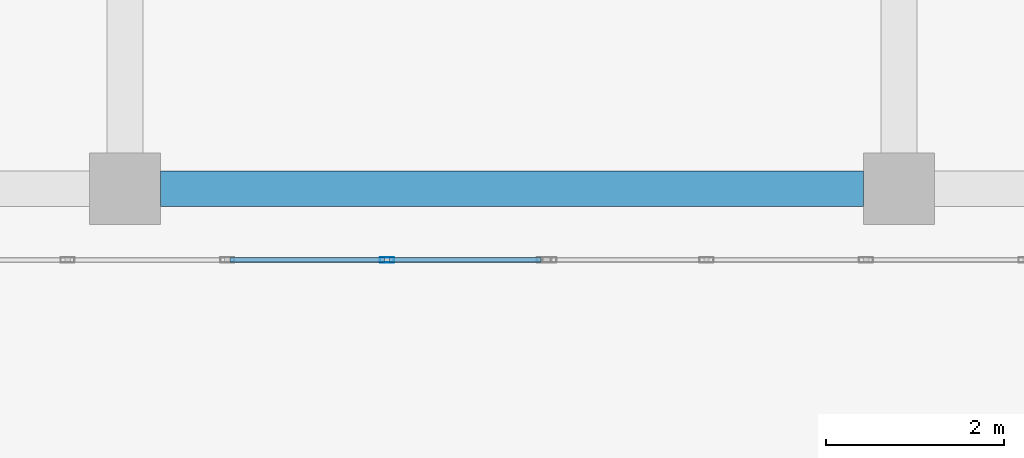
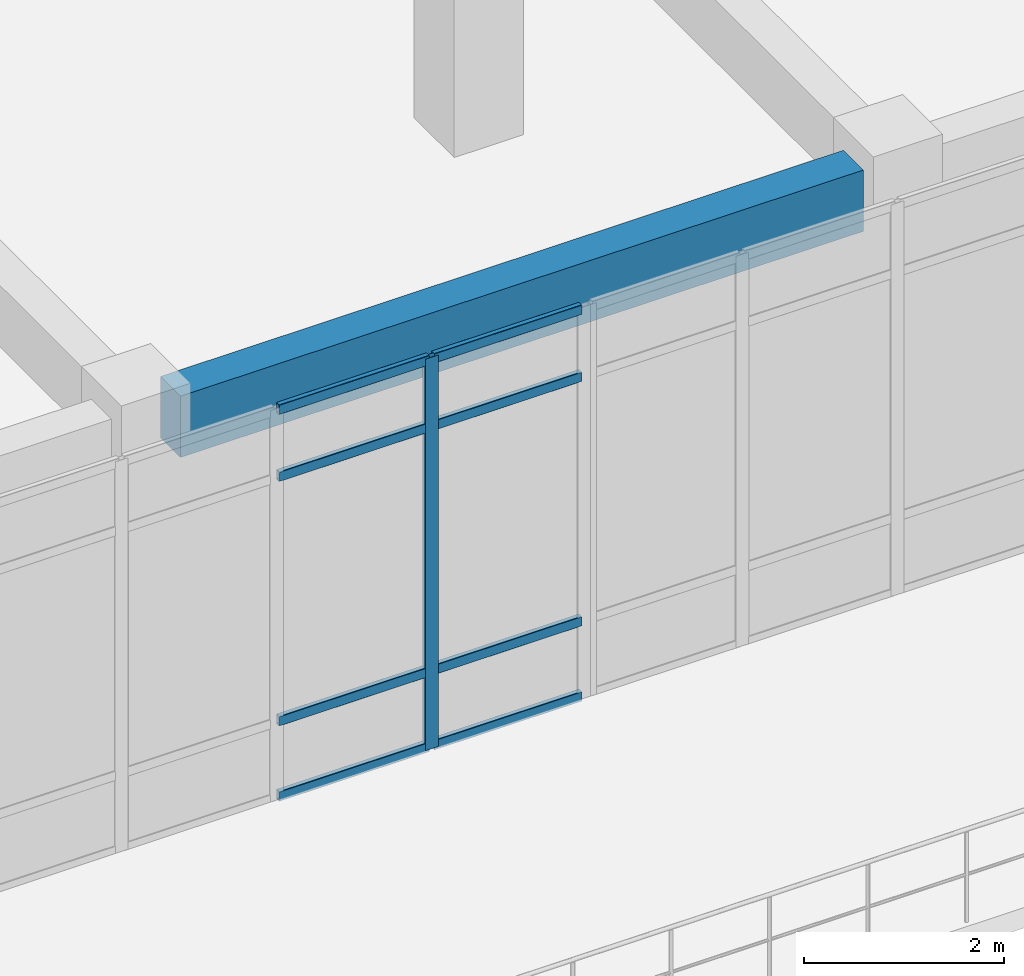
# One storey, part 14 of 96: 9 members, 1 beam, 1 element without a shape of its own.
"""IFC4 building model written with IfcOpenShell, lengths in metres."""

import ifcopenshell
import ifcopenshell.guid

model = None  # the IFC model being written
_history = None  # IfcOwnerHistory: only IFC2X3 demands one
_inside = {}  # id of a spatial element -> (the spatial element, [elements in it])
_under = {}  # id of a project, library or spatial element -> (it, [spatial elements below it])
_declared = {}  # id of a project -> (the project, [libraries it declares])
_typed = {}  # id of a type object -> (the type object, [elements of that type])
_made_of = {}  # id of a material, layer set ... -> (it, [elements and type objects made of it])


def new_model(schema):
    """Start an empty IFC model of exactly this schema.

    Asked for "IFC4X3", IfcOpenShell would pick the latest addendum, in which some entities
    have other attributes; the version numbers below select the first issue.
    IFC2X3 requires an IfcOwnerHistory on every rooted entity: one is made here for all.
    """
    global model, _history
    if schema == "IFC4X3":
        model = ifcopenshell.file(schema_version=(4, 3, 0, 0))
    else:
        model = ifcopenshell.file(schema=schema)
    _inside.clear()
    _under.clear()
    _declared.clear()
    _typed.clear()
    _made_of.clear()
    _history = None
    if model.schema == "IFC2X3":
        org = make("IfcOrganization", Name="unknown")
        user = make(
            "IfcPersonAndOrganization",
            ThePerson=make("IfcPerson", FamilyName="unknown"),
            TheOrganization=org,
        )
        app = make(
            "IfcApplication",
            ApplicationDeveloper=org,
            Version="unknown",
            ApplicationFullName="unknown",
            ApplicationIdentifier="unknown",
        )
        _history = make(
            "IfcOwnerHistory",
            OwningUser=user,
            OwningApplication=app,
            ChangeAction="ADDED",
            CreationDate=0,
        )
    return model


def make(cls, **values):
    """One entity of the class cls with the attributes given. An attribute that is None is left unset."""
    return model.create_entity(
        cls, **{name: value for name, value in values.items() if value is not None}
    )


def rooted(cls, **values):
    """An entity with a GlobalId (a new one), such as an element, a storey or a relation."""
    return make(cls, GlobalId=ifcopenshell.guid.new(), OwnerHistory=_history, **values)


def si_unit(unit_type, name, prefix=None):
    """IfcSIUnit, for example si_unit("LENGTHUNIT", "METRE", prefix="MILLI")."""
    return make("IfcSIUnit", UnitType=unit_type, Prefix=prefix, Name=name)


def derived_unit(unit_type, elements):
    """IfcDerivedUnit: a product of units, each with its exponent."""
    return make(
        "IfcDerivedUnit",
        Elements=[
            make("IfcDerivedUnitElement", Unit=unit, Exponent=power)
            for unit, power in elements
        ],
        UnitType=unit_type,
    )


def assignment(units):
    """IfcUnitAssignment: the units of a project."""
    return None if units is None else make("IfcUnitAssignment", Units=units)


def point(xyz):
    """IfcCartesianPoint."""
    return None if xyz is None else make("IfcCartesianPoint", Coordinates=xyz)


def direction(xyz):
    """IfcDirection."""
    return None if xyz is None else make("IfcDirection", DirectionRatios=xyz)


def frame(location, z_axis=None, x_axis=None):
    """IfcAxis2Placement3D, a coordinate frame: its origin and axes. An axis left out is left unset."""
    return make(
        "IfcAxis2Placement3D",
        Location=point(location),
        Axis=direction(z_axis),
        RefDirection=direction(x_axis),
    )


def frame_2d(location, x_axis=None):
    """IfcAxis2Placement2D, a coordinate frame in the plane: its origin and x axis."""
    return make(
        "IfcAxis2Placement2D", Location=point(location), RefDirection=direction(x_axis)
    )


def origin():
    """The frame at (0, 0, 0) with its axes left unset."""
    return frame((0.0, 0.0, 0.0))


def origin_2d():
    """The frame at (0, 0) in the plane with its x axis left unset."""
    return frame_2d((0.0, 0.0))


def place(relative_to, where):
    """IfcLocalPlacement: puts the frame where relative to a parent placement (None: the world)."""
    return make(
        "IfcLocalPlacement", PlacementRelTo=relative_to, RelativePlacement=where
    )


def context(
    kind, dimensions, precision=None, world=None, true_north=None, identifier=None
):
    """IfcGeometricRepresentationContext, for example the 3D "Model" context."""
    return make(
        "IfcGeometricRepresentationContext",
        ContextIdentifier=identifier,
        ContextType=kind,
        CoordinateSpaceDimension=dimensions,
        Precision=precision,
        WorldCoordinateSystem=world,
        TrueNorth=true_north,
    )


def subcontext(parent, identifier, kind, view, scale=None):
    """IfcGeometricRepresentationSubContext, for example "Body" below "Model"."""
    return make(
        "IfcGeometricRepresentationSubContext",
        ContextIdentifier=identifier,
        ContextType=kind,
        ParentContext=parent,
        TargetScale=scale,
        TargetView=view,
    )


def project(units=None, contexts=None):
    """IfcProject with its units and contexts."""
    return rooted(
        "IfcProject",
        Name="project",
        RepresentationContexts=contexts,
        UnitsInContext=assignment(units),
    )


def spatial(cls, under=None, at=None, **own):
    """A site, building, storey or space (cls), placed at a placement, below another one or the project."""
    s = rooted(cls, ObjectPlacement=at, **own)
    if under is not None:
        _under.setdefault(under.id(), (under, []))[1].append(s)
    return s


def profile(cls, at=None, kind="AREA", **sizes):
    """A parametric profile (cls). Its sizes go by their IFC names, for example OverallWidth=200.0."""
    return make(cls, ProfileType=kind, Position=at, **sizes)


def rectangle(**sizes):
    """IfcRectangleProfileDef."""
    return profile("IfcRectangleProfileDef", **sizes)


def hollow_rectangle(**sizes):
    """IfcRectangleHollowProfileDef."""
    return profile("IfcRectangleHollowProfileDef", **sizes)


def extrude(swept, where, along, depth):
    """IfcExtrudedAreaSolid: the profile swept, set in the frame where, extruded along a direction by depth."""
    return make(
        "IfcExtrudedAreaSolid",
        SweptArea=swept,
        Position=where,
        ExtrudedDirection=direction(along),
        Depth=depth,
    )


def shape(context_of_items, identifier, shape_type, items):
    """IfcShapeRepresentation: the items that make up one representation, for example the "Body"."""
    return make(
        "IfcShapeRepresentation",
        ContextOfItems=context_of_items,
        RepresentationIdentifier=identifier,
        RepresentationType=shape_type,
        Items=items,
    )


def material(Name=None, Category=None):
    """IfcMaterial."""
    return make("IfcMaterial", Name=Name, Category=Category)


def layer(
    of_material, thickness, ventilated=None, Name=None, Category=None, Priority=None
):
    """IfcMaterialLayer: one layer of a wall or slab, of a material (None: an air gap)."""
    return make(
        "IfcMaterialLayer",
        Material=of_material,
        LayerThickness=thickness,
        IsVentilated=ventilated,
        Name=Name,
        Category=Category,
        Priority=Priority,
    )


def layer_set(layers, Name=None):
    """IfcMaterialLayerSet."""
    return make("IfcMaterialLayerSet", MaterialLayers=layers, LayerSetName=Name)


def material_profile(
    of_material, cross_section, Name=None, Category=None, Priority=None
):
    """IfcMaterialProfile: a cross section and its material."""
    return make(
        "IfcMaterialProfile",
        Name=Name,
        Material=of_material,
        Profile=cross_section,
        Priority=Priority,
        Category=Category,
    )


def profile_set(profiles, Name=None, composite=None):
    """IfcMaterialProfileSet."""
    return make(
        "IfcMaterialProfileSet",
        Name=Name,
        MaterialProfiles=profiles,
        CompositeProfile=composite,
    )


def made_of(thing, what):
    """Note that an element or type object is made of a material, layer set ...; save() writes the relation."""
    if what is not None:
        _made_of.setdefault(what.id(), (what, []))[1].append(thing)
    return thing


def type_object(cls, material=None, **own):
    """A type object (cls), such as IfcWallType, which elements share."""
    return made_of(rooted(cls, **own), material)


def element(
    cls,
    number,
    at=None,
    inside=None,
    cuts=None,
    type_object=None,
    material=None,
    context=None,
    identifier="Body",
    shape_type=None,
    held_by="IfcProductDefinitionShape",
    body=None,
    shapes=None,
    **own,
):
    """One element of the class cls, such as IfcWall. Its Tag is "e" and its number.

    at: its placement. inside: the storey or other place that contains it. cuts: it is an
    opening in that element (IfcRelVoidsElement). A single representation is given by context,
    identifier, shape_type and body (its items); several are given by shapes. held_by: the class
    of the entity that holds the representations. save() writes the other relations.
    """
    e = rooted(cls, Tag="e%d" % number, ObjectPlacement=at, **own)
    if body is not None:
        shapes = [shape(context, identifier, shape_type, body)]
    if shapes is not None:
        e.Representation = make(held_by, Representations=shapes)
    if inside is not None:
        _inside.setdefault(inside.id(), (inside, []))[1].append(e)
    if cuts is not None:
        rooted(
            "IfcRelVoidsElement", RelatingBuildingElement=cuts, RelatedOpeningElement=e
        )
    if type_object is not None:
        _typed.setdefault(type_object.id(), (type_object, []))[1].append(e)
    return made_of(e, material)


def aggregate(whole, parts):
    """IfcRelAggregates: a whole, such as a stair, and the parts it consists of."""
    return rooted("IfcRelAggregates", RelatingObject=whole, RelatedObjects=parts)


def save(model, path):
    """Write the relations noted so far, then the file.

    IfcRelAggregates (storeys below a building ...), IfcRelContainedInSpatialStructure (elements
    in a storey), IfcRelDefinesByType, IfcRelAssociatesMaterial and IfcRelDeclares: one each for
    every whole, place, type object, material and project.
    """
    for whole, parts in _under.values():
        aggregate(whole, parts)
    for where, things in _inside.values():
        rooted(
            "IfcRelContainedInSpatialStructure",
            RelatedElements=things,
            RelatingStructure=where,
        )
    for kind, things in _typed.values():
        rooted("IfcRelDefinesByType", RelatedObjects=things, RelatingType=kind)
    for what, things in _made_of.values():
        rooted("IfcRelAssociatesMaterial", RelatedObjects=things, RelatingMaterial=what)
    for by, libraries in _declared.values():
        rooted("IfcRelDeclares", RelatingContext=by, RelatedDefinitions=libraries)
    model.write(path)


model = new_model("IFC4")

# Units and contexts
model_context = context("Model", 3, precision=1e-05, world=origin(), true_north=direction((0.0, 1.0)))
body_context = subcontext(model_context, "Body", "Model", "MODEL_VIEW")
ifc_project = project(units=[si_unit("LENGTHUNIT", "METRE"), si_unit("AREAUNIT", "SQUARE_METRE"), si_unit("VOLUMEUNIT", "CUBIC_METRE"), si_unit("PLANEANGLEUNIT", "RADIAN"), si_unit("MASSUNIT", "GRAM", prefix="KILO"), derived_unit("THERMALTRANSMITTANCEUNIT", [(si_unit("MASSUNIT", "GRAM", prefix="KILO"), 1), (si_unit("TIMEUNIT", "SECOND"), -3), (si_unit("THERMODYNAMICTEMPERATUREUNIT", "KELVIN"), -1)])], contexts=[model_context])

# Site, building, storey
site_placement = place(None, origin())
site = spatial("IfcSite", under=ifc_project, at=site_placement, CompositionType="ELEMENT")
building_placement = place(site_placement, origin())
building = spatial("IfcBuilding", under=site, at=building_placement, Name="Qinzheling Arcade Emporium", CompositionType="ELEMENT")
storey_placement = place(building_placement, frame((0.0, 0.0, 21.60009765625)))
storey = spatial("IfcBuildingStorey", under=building, at=storey_placement, Name="L05", CompositionType="ELEMENT", Elevation=21.60009765625)

# Curtain wall, members
ifc_material_1 = material(Name="Anodised aluminium and solar-control double glazing", Category="aluminium")
ifc_layer = layer(ifc_material_1, 0.159912109375, Name="Anodised aluminium and solar-control double glazing", Category="aluminium")
ifc_layer_set = layer_set([ifc_layer], Name="Anodised aluminium and solar-control double glazing")
curtain_wall_type = type_object("IfcCurtainWallType", Name="Arcade Portal Glazed Curtain Wall", PredefinedType="NOTDEFINED", material=ifc_layer_set)
curtain_wall_placement = place(storey_placement, origin())
curtain_wall = element("IfcCurtainWall", 1, at=curtain_wall_placement, inside=storey, type_object=curtain_wall_type, Name="Curtain Wall CW-L05-299", PredefinedType="NOTDEFINED")
ifc_material_2 = material(Name="Anodised aluminium 6063-T6", Category="aluminium")
ifc_material_profile_1 = material_profile(ifc_material_2, hollow_rectangle(XDim=0.06005859375, YDim=0.159912109375, WallThickness=0.00390625, InnerFilletRadius=0.00390625, OuterFilletRadius=0.008056640625, at=origin_2d()), Name="RHS 160x60x4", Category="aluminium")
ifc_profile_set_1 = profile_set([ifc_material_profile_1], Name="Anodised aluminium 6063-T6")
member_type_1 = type_object("IfcMemberType", Name="Curtain Wall Mullion RHS160x60", PredefinedType="MULLION", material=ifc_profile_set_1)
member_1_placement = place(storey_placement, frame((46.444091796875, 7.60009765625, 0.0), z_axis=(0.0, 0.0, 1.0), x_axis=(0.0, -1.0, 0.0)))
member_1 = element("IfcMember", 2, at=member_1_placement, type_object=member_type_1, Name="CW05 mullion 2", PredefinedType="MULLION", context=body_context, shape_type="SweptSolid", body=[
    extrude(hollow_rectangle(XDim=0.06005859375, YDim=0.159912109375, WallThickness=0.00390625, InnerFilletRadius=0.00390625, OuterFilletRadius=0.008056640625, at=origin_2d()), origin(), (0.0, 0.0, 1.0), 4.789794921875),
])
ifc_material_profile_2 = material_profile(ifc_material_2, hollow_rectangle(XDim=0.06005859375, YDim=0.1201171875, WallThickness=0.00390625, InnerFilletRadius=0.00390625, OuterFilletRadius=0.008056640625, at=origin_2d()), Name="RHS 120x60x4", Category="aluminium")
ifc_profile_set_2 = profile_set([ifc_material_profile_2], Name="Anodised aluminium 6063-T6")
member_type_2 = type_object("IfcMemberType", Name="Curtain Wall Transom RHS120x60", PredefinedType="USERDEFINED", material=ifc_profile_set_2)
member_2_placement = place(storey_placement, frame((48.177978515625, 7.60009765625, 0.02978515625), z_axis=(-1.0, 0.0, 0.0), x_axis=(0.0, -1.0, 0.0)))
member_2 = element("IfcMember", 3, at=member_2_placement, type_object=member_type_2, Name="CW05 transom 1.1", ObjectType="TRANSOM", PredefinedType="USERDEFINED", context=body_context, shape_type="SweptSolid", body=[
    extrude(hollow_rectangle(XDim=0.06005859375, YDim=0.1201171875, WallThickness=0.00390625, InnerFilletRadius=0.00390625, OuterFilletRadius=0.008056640625, at=origin_2d()), origin(), (0.0, 0.0, 1.0), 1.703857421875),
])
member_3_placement = place(storey_placement, frame((48.177978515625, 7.60009765625, 0.949951171875), z_axis=(-1.0, 0.0, 0.0), x_axis=(0.0, -1.0, 0.0)))
member_3 = element("IfcMember", 4, at=member_3_placement, type_object=member_type_2, Name="CW05 transom 1.2", ObjectType="TRANSOM", PredefinedType="USERDEFINED", context=body_context, shape_type="SweptSolid", body=[
    extrude(hollow_rectangle(XDim=0.06005859375, YDim=0.1201171875, WallThickness=0.00390625, InnerFilletRadius=0.00390625, OuterFilletRadius=0.008056640625, at=origin_2d()), origin(), (0.0, 0.0, 1.0), 1.703857421875),
])
member_4_placement = place(storey_placement, frame((48.177978515625, 7.60009765625, 3.93994140625), z_axis=(-1.0, 0.0, 0.0), x_axis=(0.0, -1.0, 0.0)))
member_4 = element("IfcMember", 5, at=member_4_placement, type_object=member_type_2, Name="CW05 transom 1.3", ObjectType="TRANSOM", PredefinedType="USERDEFINED", context=body_context, shape_type="SweptSolid", body=[
    extrude(hollow_rectangle(XDim=0.06005859375, YDim=0.1201171875, WallThickness=0.00390625, InnerFilletRadius=0.00390625, OuterFilletRadius=0.008056640625, at=origin_2d()), origin(), (0.0, 0.0, 1.0), 1.703857421875),
])
member_5_placement = place(storey_placement, frame((48.177978515625, 7.60009765625, 4.760009765625), z_axis=(-1.0, 0.0, 0.0), x_axis=(0.0, -1.0, 0.0)))
member_5 = element("IfcMember", 6, at=member_5_placement, type_object=member_type_2, Name="CW05 transom 1.4", ObjectType="TRANSOM", PredefinedType="USERDEFINED", context=body_context, shape_type="SweptSolid", body=[
    extrude(hollow_rectangle(XDim=0.06005859375, YDim=0.1201171875, WallThickness=0.00390625, InnerFilletRadius=0.00390625, OuterFilletRadius=0.008056640625, at=origin_2d()), origin(), (0.0, 0.0, 1.0), 1.703857421875),
])
member_6_placement = place(storey_placement, frame((46.4140625, 7.60009765625, 0.02978515625), z_axis=(-1.0, 0.0, 0.0), x_axis=(0.0, -1.0, 0.0)))
member_6 = element("IfcMember", 7, at=member_6_placement, type_object=member_type_2, Name="CW05 transom 2.1", ObjectType="TRANSOM", PredefinedType="USERDEFINED", context=body_context, shape_type="SweptSolid", body=[
    extrude(hollow_rectangle(XDim=0.06005859375, YDim=0.1201171875, WallThickness=0.00390625, InnerFilletRadius=0.00390625, OuterFilletRadius=0.008056640625, at=origin_2d()), origin(), (0.0, 0.0, 1.0), 1.734130859375),
])
member_7_placement = place(storey_placement, frame((46.4140625, 7.60009765625, 0.949951171875), z_axis=(-1.0, 0.0, 0.0), x_axis=(0.0, -1.0, 0.0)))
member_7 = element("IfcMember", 8, at=member_7_placement, type_object=member_type_2, Name="CW05 transom 2.2", ObjectType="TRANSOM", PredefinedType="USERDEFINED", context=body_context, shape_type="SweptSolid", body=[
    extrude(hollow_rectangle(XDim=0.06005859375, YDim=0.1201171875, WallThickness=0.00390625, InnerFilletRadius=0.00390625, OuterFilletRadius=0.008056640625, at=origin_2d()), origin(), (0.0, 0.0, 1.0), 1.734130859375),
])
member_8_placement = place(storey_placement, frame((46.4140625, 7.60009765625, 3.93994140625), z_axis=(-1.0, 0.0, 0.0), x_axis=(0.0, -1.0, 0.0)))
member_8 = element("IfcMember", 9, at=member_8_placement, type_object=member_type_2, Name="CW05 transom 2.3", ObjectType="TRANSOM", PredefinedType="USERDEFINED", context=body_context, shape_type="SweptSolid", body=[
    extrude(hollow_rectangle(XDim=0.06005859375, YDim=0.1201171875, WallThickness=0.00390625, InnerFilletRadius=0.00390625, OuterFilletRadius=0.008056640625, at=origin_2d()), origin(), (0.0, 0.0, 1.0), 1.734130859375),
])
member_9_placement = place(storey_placement, frame((46.4140625, 7.60009765625, 4.760009765625), z_axis=(-1.0, 0.0, 0.0), x_axis=(0.0, -1.0, 0.0)))
member_9 = element("IfcMember", 10, at=member_9_placement, type_object=member_type_2, Name="CW05 transom 2.4", ObjectType="TRANSOM", PredefinedType="USERDEFINED", context=body_context, shape_type="SweptSolid", body=[
    extrude(hollow_rectangle(XDim=0.06005859375, YDim=0.1201171875, WallThickness=0.00390625, InnerFilletRadius=0.00390625, OuterFilletRadius=0.008056640625, at=origin_2d()), origin(), (0.0, 0.0, 1.0), 1.734130859375),
])
aggregate(curtain_wall, [member_1, member_2, member_3, member_4, member_5, member_6, member_7, member_8, member_9])

# Beam
ifc_material_3 = material(Name="Concrete C40", Category="concrete")
ifc_material_profile_3 = material_profile(ifc_material_3, rectangle(XDim=0.39990234375, YDim=0.75, at=origin_2d()), Name="RC 400x750", Category="concrete")
ifc_profile_set_3 = profile_set([ifc_material_profile_3], Name="Concrete C40")
beam_type = type_object("IfcBeamType", Name="RC Interior Tie Beam 400x750 C40", PredefinedType="BEAM", material=ifc_profile_set_3)
beam_placement = place(storey_placement, frame((43.89990234375, 8.39990234375, 4.44482421875), z_axis=(1.0, 0.0, 0.0), x_axis=(0.0, 1.0, 0.0)))
element("IfcBeam", 11, at=beam_placement, inside=storey, type_object=beam_type, Name="Beam BM-L05-X-B-6", PredefinedType="BEAM", context=body_context, shape_type="SweptSolid", body=[
    extrude(rectangle(XDim=0.39990234375, YDim=0.75, at=origin_2d()), origin(), (0.0, 0.0, 1.0), 7.900146484375),
])

save(model, "model.ifc")
